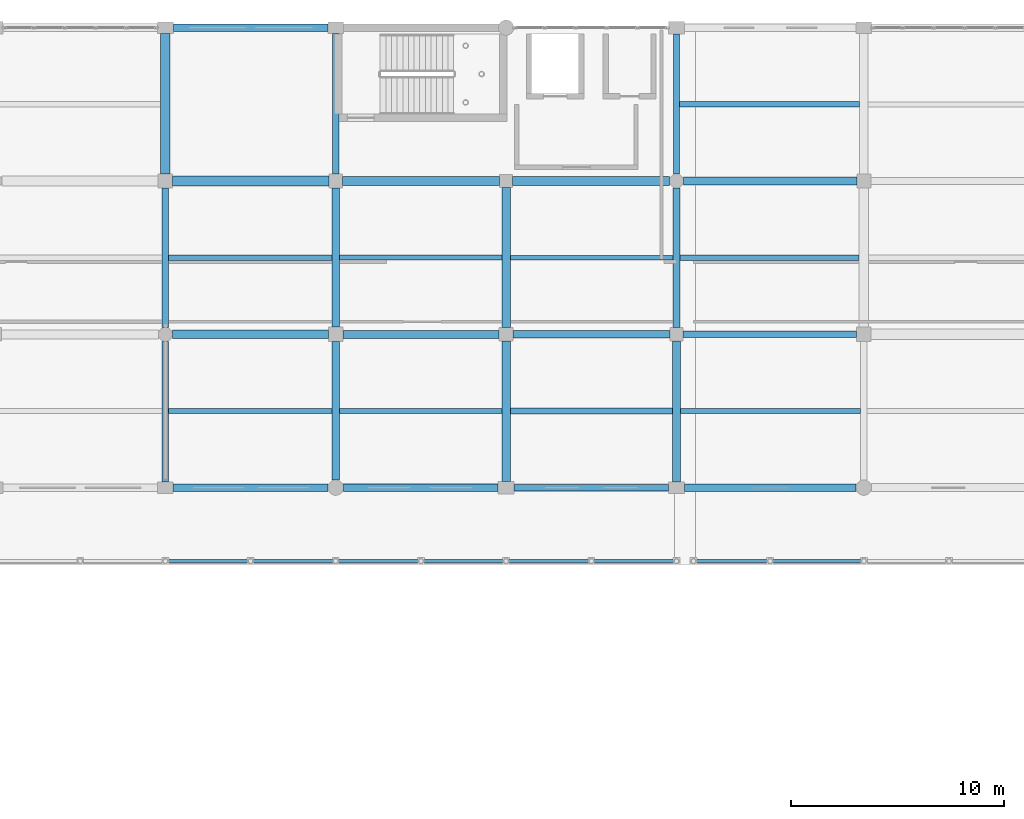
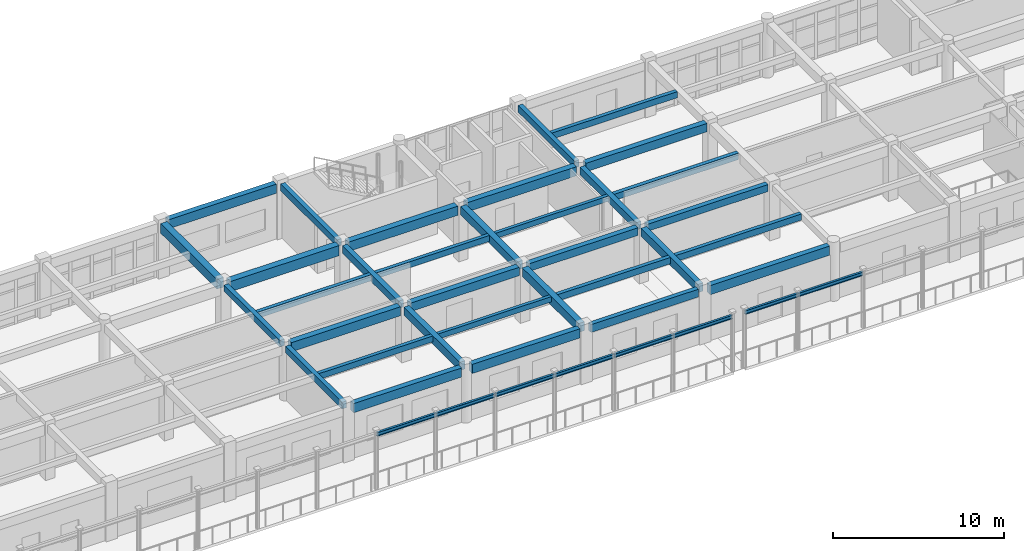
# One storey, part 116 of 195: 37 beams.
"""IFC4 building model written with IfcOpenShell, lengths in metres."""

from ifc_helpers import new_model, si_unit, direction, frame, origin, origin_2d, place, context, subcontext, project, spatial, rectangle, i_section, extrude, material, material_profile, profile_set, type_object, element, save


model = new_model("IFC4")

# Units and contexts
model_context = context("Model", 3, precision=1e-05, world=origin(), true_north=direction((0.0, 1.0)))
body_context = subcontext(model_context, "Body", "Model", "MODEL_VIEW")
ifc_project = project(units=[si_unit("LENGTHUNIT", "METRE"), si_unit("AREAUNIT", "SQUARE_METRE"), si_unit("VOLUMEUNIT", "CUBIC_METRE"), si_unit("PLANEANGLEUNIT", "RADIAN"), si_unit("MASSUNIT", "GRAM", prefix="KILO")], contexts=[model_context])

# Site, building, storey
site_placement = place(None, origin())
site = spatial("IfcSite", under=ifc_project, at=site_placement, CompositionType="ELEMENT")
building_placement = place(site_placement, origin())
building = spatial("IfcBuilding", under=site, at=building_placement, Name="Kharva Crest Polytechnic", CompositionType="ELEMENT")
storey_placement = place(building_placement, frame((0.0, 0.0, 9.0)))
storey = spatial("IfcBuildingStorey", under=building, at=storey_placement, Name="L02", CompositionType="ELEMENT", Elevation=9.0)

# Beams
ifc_material_1 = material(Name="Concrete C35/45", Category="concrete")
ifc_material_profile_1 = material_profile(ifc_material_1, rectangle(XDim=0.300048828125, YDim=0.449951171875, at=origin_2d()), Name="RECT 300 X 450")
ifc_profile_set_1 = profile_set([ifc_material_profile_1], Name="Concrete C35/45")
beam_type_1 = type_object("IfcBeamType", Name="BM-RC-300X450", PredefinedType="BEAM", material=ifc_profile_set_1)
beam_1_placement = place(storey_placement, frame((96.0, 107.929931640625, 3.695068359375), z_axis=(0.0, 1.0, 0.0), x_axis=(-1.0, 0.0, 0.0)))
element("IfcBeam", 1, at=beam_1_placement, inside=storey, type_object=beam_type_1, Name="L02 Girder 13/Q-R", PredefinedType="BEAM", context=body_context, shape_type="SweptSolid", body=[
    extrude(rectangle(XDim=0.300048828125, YDim=0.449951171875, at=origin_2d()), origin(), (0.0, 0.0, 1.0), 6.530029296875),
])
ifc_material_profile_2 = material_profile(ifc_material_1, rectangle(XDim=0.300048828125, YDim=0.47998046875, at=origin_2d()), Name="RECT 300 X 480")
ifc_profile_set_2 = profile_set([ifc_material_profile_2], Name="Concrete C35/45")
beam_type_2 = type_object("IfcBeamType", Name="BM-RC-300X480", PredefinedType="BEAM", material=ifc_profile_set_2)
beam_2_placement = place(storey_placement, frame((96.0, 100.675048828125, 3.679931640625), z_axis=(0.0, 1.0, 0.0), x_axis=(-1.0, 0.0, 0.0)))
element("IfcBeam", 2, at=beam_2_placement, inside=storey, type_object=beam_type_2, Name="L02 Girder 13/P-Q", PredefinedType="BEAM", context=body_context, shape_type="SweptSolid", body=[
    extrude(rectangle(XDim=0.300048828125, YDim=0.47998046875, at=origin_2d()), origin(), (0.0, 0.0, 1.0), 6.594970703125),
])
beam_3_placement = place(storey_placement, frame((104.0, 115.125, 3.679931640625), z_axis=(0.0, 1.0, 0.0), x_axis=(-1.0, 0.0, 0.0)))
element("IfcBeam", 3, at=beam_3_placement, inside=storey, type_object=beam_type_2, Name="L02 Girder 14/R-S", PredefinedType="BEAM", context=body_context, shape_type="SweptSolid", body=[
    extrude(rectangle(XDim=0.300048828125, YDim=0.47998046875, at=origin_2d()), origin(), (0.0, 0.0, 1.0), 6.60009765625),
])
beam_4_placement = place(storey_placement, frame((120.0, 115.1298828125, 3.679931640625), z_axis=(0.0, 1.0, 0.0), x_axis=(-1.0, 0.0, 0.0)))
element("IfcBeam", 4, at=beam_4_placement, inside=storey, type_object=beam_type_2, Name="L02 Girder 16/R-S", PredefinedType="BEAM", context=body_context, shape_type="SweptSolid", body=[
    extrude(rectangle(XDim=0.300048828125, YDim=0.47998046875, at=origin_2d()), origin(), (0.0, 0.0, 1.0), 6.570068359375),
])
ifc_material_profile_3 = material_profile(ifc_material_1, rectangle(XDim=0.320068359375, YDim=0.5, at=origin_2d()), Name="RECT 320 X 500")
ifc_profile_set_3 = profile_set([ifc_material_profile_3], Name="Concrete C35/45")
beam_type_3 = type_object("IfcBeamType", Name="BM-RC-320X500", PredefinedType="BEAM", material=ifc_profile_set_3)
beam_5_placement = place(storey_placement, frame((120.31005859375, 107.60009765625, 3.669921875), z_axis=(1.0, 0.0, 0.0), x_axis=(0.0, 1.0, 0.0)))
element("IfcBeam", 5, at=beam_5_placement, inside=storey, type_object=beam_type_3, Name="L02 Beam Q/16-17", PredefinedType="BEAM", context=body_context, shape_type="SweptSolid", body=[
    extrude(rectangle(XDim=0.320068359375, YDim=0.5, at=origin_2d()), origin(), (0.0, 0.0, 1.0), 8.14990234375),
])
ifc_material_profile_4 = material_profile(ifc_material_1, rectangle(XDim=0.340087890625, YDim=0.52001953125, at=origin_2d()), Name="RECT 340 X 520")
ifc_profile_set_4 = profile_set([ifc_material_profile_4], Name="Concrete C35/45")
beam_type_4 = type_object("IfcBeamType", Name="BM-RC-340X520", PredefinedType="BEAM", material=ifc_profile_set_4)
beam_6_placement = place(storey_placement, frame((104.0, 107.93994140625, 3.659912109375), z_axis=(0.0, 1.0, 0.0), x_axis=(-1.0, 0.0, 0.0)))
element("IfcBeam", 6, at=beam_6_placement, inside=storey, type_object=beam_type_4, Name="L02 Girder 14/Q-R", PredefinedType="BEAM", context=body_context, shape_type="SweptSolid", body=[
    extrude(rectangle(XDim=0.340087890625, YDim=0.52001953125, at=origin_2d()), origin(), (0.0, 0.0, 1.0), 6.53515625),
])
beam_7_placement = place(storey_placement, frame((120.0, 107.909912109375, 3.659912109375), z_axis=(0.0, 1.0, 0.0), x_axis=(-1.0, 0.0, 0.0)))
element("IfcBeam", 7, at=beam_7_placement, inside=storey, type_object=beam_type_4, Name="L02 Girder 16/Q-R", PredefinedType="BEAM", context=body_context, shape_type="SweptSolid", body=[
    extrude(rectangle(XDim=0.340087890625, YDim=0.52001953125, at=origin_2d()), origin(), (0.0, 0.0, 1.0), 6.56005859375),
])
ifc_material_profile_5 = material_profile(ifc_material_1, rectangle(XDim=0.35009765625, YDim=0.550048828125, at=origin_2d()), Name="RECT 350 X 550")
ifc_profile_set_5 = profile_set([ifc_material_profile_5], Name="Concrete C35/45")
beam_type_5 = type_object("IfcBeamType", Name="BM-RC-350X550", PredefinedType="BEAM", material=ifc_profile_set_5)
beam_8_placement = place(storey_placement, frame((112.324951171875, 107.60009765625, 3.64501953125), z_axis=(1.0, 0.0, 0.0), x_axis=(0.0, 1.0, 0.0)))
element("IfcBeam", 8, at=beam_8_placement, inside=storey, type_object=beam_type_5, Name="L02 Beam Q/15-16", PredefinedType="BEAM", context=body_context, shape_type="SweptSolid", body=[
    extrude(rectangle(XDim=0.35009765625, YDim=0.550048828125, at=origin_2d()), origin(), (0.0, 0.0, 1.0), 7.364990234375),
])
ifc_material_profile_6 = material_profile(ifc_material_1, rectangle(XDim=0.360107421875, YDim=0.580078125, at=origin_2d()), Name="RECT 360 X 580")
ifc_profile_set_6 = profile_set([ifc_material_profile_6], Name="Concrete C35/45")
beam_type_6 = type_object("IfcBeamType", Name="BM-RC-360X580", PredefinedType="BEAM", material=ifc_profile_set_6)
beam_9_placement = place(storey_placement, frame((104.0, 100.760009765625, 3.6298828125), z_axis=(0.0, 1.0, 0.0), x_axis=(-1.0, 0.0, 0.0)))
element("IfcBeam", 9, at=beam_9_placement, inside=storey, type_object=beam_type_6, Name="L02 Girder 14/P-Q", PredefinedType="BEAM", context=body_context, shape_type="SweptSolid", body=[
    extrude(rectangle(XDim=0.360107421875, YDim=0.580078125, at=origin_2d()), origin(), (0.0, 0.0, 1.0), 6.5),
])
beam_10_placement = place(storey_placement, frame((120.0, 100.675048828125, 3.6298828125), z_axis=(0.0, 1.0, 0.0), x_axis=(-1.0, 0.0, 0.0)))
element("IfcBeam", 10, at=beam_10_placement, inside=storey, type_object=beam_type_6, Name="L02 Girder 16/P-Q", PredefinedType="BEAM", context=body_context, shape_type="SweptSolid", body=[
    extrude(rectangle(XDim=0.360107421875, YDim=0.580078125, at=origin_2d()), origin(), (0.0, 0.0, 1.0), 6.614990234375),
])
ifc_material_profile_7 = material_profile(ifc_material_1, rectangle(XDim=0.3798828125, YDim=0.60009765625, at=origin_2d()), Name="RECT 380 X 600")
ifc_profile_set_7 = profile_set([ifc_material_profile_7], Name="Concrete C35/45")
beam_type_7 = type_object("IfcBeamType", Name="BM-RC-380X600", PredefinedType="BEAM", material=ifc_profile_set_7)
beam_11_placement = place(storey_placement, frame((104.340087890625, 107.60009765625, 3.6201171875), z_axis=(1.0, 0.0, 0.0), x_axis=(0.0, 1.0, 0.0)))
element("IfcBeam", 11, at=beam_11_placement, inside=storey, type_object=beam_type_7, Name="L02 Beam Q/14-15", PredefinedType="BEAM", context=body_context, shape_type="SweptSolid", body=[
    extrude(rectangle(XDim=0.3798828125, YDim=0.60009765625, at=origin_2d()), origin(), (0.0, 0.0, 1.0), 7.3349609375),
])
beam_12_placement = place(storey_placement, frame((120.330078125, 114.800048828125, 3.6201171875), z_axis=(1.0, 0.0, 0.0), x_axis=(0.0, 1.0, 0.0)))
element("IfcBeam", 12, at=beam_12_placement, inside=storey, type_object=beam_type_7, Name="L02 Beam R/16-17", PredefinedType="BEAM", context=body_context, shape_type="SweptSolid", body=[
    extrude(rectangle(XDim=0.3798828125, YDim=0.60009765625, at=origin_2d()), origin(), (0.0, 0.0, 1.0), 8.14501953125),
])
ifc_material_profile_8 = material_profile(ifc_material_1, rectangle(XDim=0.39990234375, YDim=0.580078125, at=origin_2d()), Name="RECT 400 X 580")
ifc_profile_set_8 = profile_set([ifc_material_profile_8], Name="Concrete C35/45")
beam_type_8 = type_object("IfcBeamType", Name="BM-RC-400X580", PredefinedType="BEAM", material=ifc_profile_set_8)
beam_13_placement = place(storey_placement, frame((112.0, 107.925048828125, 3.6298828125), z_axis=(0.0, 1.0, 0.0), x_axis=(-1.0, 0.0, 0.0)))
element("IfcBeam", 13, at=beam_13_placement, inside=storey, type_object=beam_type_8, Name="L02 Girder 15/Q-R", PredefinedType="BEAM", context=body_context, shape_type="SweptSolid", body=[
    extrude(rectangle(XDim=0.39990234375, YDim=0.580078125, at=origin_2d()), origin(), (0.0, 0.0, 1.0), 6.56494140625),
])
ifc_material_profile_9 = material_profile(ifc_material_1, rectangle(XDim=0.39990234375, YDim=0.6201171875, at=origin_2d()), Name="RECT 400 X 620")
ifc_profile_set_9 = profile_set([ifc_material_profile_9], Name="Concrete C35/45")
beam_type_9 = type_object("IfcBeamType", Name="BM-RC-400X620", PredefinedType="BEAM", material=ifc_profile_set_9)
beam_14_placement = place(storey_placement, frame((112.0, 100.699951171875, 3.610107421875), z_axis=(0.0, 1.0, 0.0), x_axis=(-1.0, 0.0, 0.0)))
element("IfcBeam", 14, at=beam_14_placement, inside=storey, type_object=beam_type_9, Name="L02 Girder 15/P-Q", PredefinedType="BEAM", context=body_context, shape_type="SweptSolid", body=[
    extrude(rectangle(XDim=0.39990234375, YDim=0.6201171875, at=origin_2d()), origin(), (0.0, 0.0, 1.0), 6.574951171875),
])
ifc_material_profile_10 = material_profile(ifc_material_1, rectangle(XDim=0.39990234375, YDim=0.64990234375, at=origin_2d()), Name="RECT 400 X 650")
ifc_profile_set_10 = profile_set([ifc_material_profile_10], Name="Concrete C35/45")
beam_type_10 = type_object("IfcBeamType", Name="BM-RC-400X650", PredefinedType="BEAM", material=ifc_profile_set_10)
beam_15_placement = place(storey_placement, frame((96.330078125, 107.60009765625, 3.594970703125), z_axis=(1.0, 0.0, 0.0), x_axis=(0.0, 1.0, 0.0)))
element("IfcBeam", 15, at=beam_15_placement, inside=storey, type_object=beam_type_10, Name="L02 Beam Q/13-14", PredefinedType="BEAM", context=body_context, shape_type="SweptSolid", body=[
    extrude(rectangle(XDim=0.39990234375, YDim=0.64990234375, at=origin_2d()), origin(), (0.0, 0.0, 1.0), 7.329833984375),
])
beam_16_placement = place(storey_placement, frame((112.31005859375, 114.800048828125, 3.594970703125), z_axis=(1.0, 0.0, 0.0), x_axis=(0.0, 1.0, 0.0)))
element("IfcBeam", 16, at=beam_16_placement, inside=storey, type_object=beam_type_10, Name="L02 Beam R/15-16", PredefinedType="BEAM", context=body_context, shape_type="SweptSolid", body=[
    extrude(rectangle(XDim=0.39990234375, YDim=0.64990234375, at=origin_2d()), origin(), (0.0, 0.0, 1.0), 7.35986328125),
])
ifc_material_profile_11 = material_profile(ifc_material_1, rectangle(XDim=0.419921875, YDim=0.659912109375, at=origin_2d()), Name="RECT 420 X 660")
ifc_profile_set_11 = profile_set([ifc_material_profile_11], Name="Concrete C35/45")
beam_type_11 = type_object("IfcBeamType", Name="BM-RC-420X660", PredefinedType="BEAM", material=ifc_profile_set_11)
beam_17_placement = place(storey_placement, frame((104.324951171875, 114.800048828125, 3.590087890625), z_axis=(1.0, 0.0, 0.0), x_axis=(0.0, 1.0, 0.0)))
element("IfcBeam", 17, at=beam_17_placement, inside=storey, type_object=beam_type_11, Name="L02 Beam R/14-15", PredefinedType="BEAM", context=body_context, shape_type="SweptSolid", body=[
    extrude(rectangle(XDim=0.419921875, YDim=0.659912109375, at=origin_2d()), origin(), (0.0, 0.0, 1.0), 7.364990234375),
])
ifc_material_profile_12 = material_profile(ifc_material_1, rectangle(XDim=0.449951171875, YDim=0.679931640625, at=origin_2d()), Name="RECT 450 X 680")
ifc_profile_set_12 = profile_set([ifc_material_profile_12], Name="Concrete C35/45")
beam_type_12 = type_object("IfcBeamType", Name="BM-RC-450X680", PredefinedType="BEAM", material=ifc_profile_set_12)
beam_18_placement = place(storey_placement, frame((96.0, 115.139892578125, 3.580078125), z_axis=(0.0, 1.0, 0.0), x_axis=(-1.0, 0.0, 0.0)))
element("IfcBeam", 18, at=beam_18_placement, inside=storey, type_object=beam_type_12, Name="L02 Girder 13/R-S", PredefinedType="BEAM", context=body_context, shape_type="SweptSolid", body=[
    extrude(rectangle(XDim=0.449951171875, YDim=0.679931640625, at=origin_2d()), origin(), (0.0, 0.0, 1.0), 6.585205078125),
])
ifc_material_profile_13 = material_profile(ifc_material_1, rectangle(XDim=0.449951171875, YDim=0.719970703125, at=origin_2d()), Name="RECT 450 X 720")
ifc_profile_set_13 = profile_set([ifc_material_profile_13], Name="Concrete C35/45")
beam_type_13 = type_object("IfcBeamType", Name="BM-RC-450X720", PredefinedType="BEAM", material=ifc_profile_set_13)
beam_19_placement = place(storey_placement, frame((96.340087890625, 114.800048828125, 3.56005859375), z_axis=(1.0, 0.0, 0.0), x_axis=(0.0, 1.0, 0.0)))
element("IfcBeam", 19, at=beam_19_placement, inside=storey, type_object=beam_type_13, Name="L02 Beam R/13-14", PredefinedType="BEAM", context=body_context, shape_type="SweptSolid", body=[
    extrude(rectangle(XDim=0.449951171875, YDim=0.719970703125, at=origin_2d()), origin(), (0.0, 0.0, 1.0), 7.3349609375),
])
ifc_material_2 = material(Name="Steel S355", Category="steel")
ifc_material_profile_14 = material_profile(ifc_material_2, i_section(OverallWidth=0.14794921875, OverallDepth=0.26611328125, WebThickness=0.007568359375, FlangeThickness=0.012939453125, at=origin_2d()), Name="W250X44.8")
ifc_profile_set_14 = profile_set([ifc_material_profile_14], Name="Steel S355")
beam_type_14 = type_object("IfcBeamType", Name="BM-STL-W250X44", PredefinedType="SPANDREL", material=ifc_profile_set_14)
for number, where, z_axis, x_axis, name in (
    (20, (96.02001953125, 96.949951171875, 3.85693359375), (1.0, 0.0, 0.0), (0.0, 1.0, 0.0), "L02 North Veranda Beam 6"),
    (21, (104.02001953125, 96.949951171875, 3.85693359375), (1.0, 0.0, 0.0), (0.0, 1.0, 0.0), "L02 North Veranda Beam 7"),
    (22, (112.02001953125, 96.949951171875, 3.85693359375), (1.0, 0.0, 0.0), (0.0, 1.0, 0.0), "L02 North Veranda Beam 8"),
    (23, (120.820068359375, 96.949951171875, 3.85693359375), (1.0, 0.0, 0.0), (0.0, 1.0, 0.0), "L02 North Veranda Beam 10"),
):
    element("IfcBeam", number, at=place(storey_placement, frame(where, z_axis=z_axis, x_axis=x_axis)), inside=storey, type_object=beam_type_14, Name=name, PredefinedType="SPANDREL", context=body_context, shape_type="SweptSolid", body=[
        extrude(i_section(OverallWidth=0.14794921875, OverallDepth=0.26611328125, WebThickness=0.007568359375, FlangeThickness=0.012939453125, at=origin_2d()), origin(), (0.0, 0.0, 1.0), 7.9599609375),
    ])
ifc_material_profile_15 = material_profile(ifc_material_1, rectangle(XDim=0.219970703125, YDim=0.3798828125, at=origin_2d()), Name="RECT 220 X 380")
ifc_profile_set_15 = profile_set([ifc_material_profile_15], Name="Concrete C35/45")
beam_type_15 = type_object("IfcBeamType", Name="JS-RC-220X380", PredefinedType="JOIST", material=ifc_profile_set_15)
beam_20_placement = place(storey_placement, frame((104.179931640625, 104.0, 3.72998046875), z_axis=(1.0, 0.0, 0.0), x_axis=(0.0, 1.0, 0.0)))
element("IfcBeam", 24, at=beam_20_placement, inside=storey, type_object=beam_type_15, Name="L02 Floor Joist 24", PredefinedType="JOIST", context=body_context, shape_type="SweptSolid", body=[
    extrude(rectangle(XDim=0.219970703125, YDim=0.3798828125, at=origin_2d()), origin(), (0.0, 0.0, 1.0), 7.6201171875),
])
beam_21_placement = place(storey_placement, frame((112.199951171875, 111.199951171875, 3.72998046875), z_axis=(1.0, 0.0, 0.0), x_axis=(0.0, 1.0, 0.0)))
element("IfcBeam", 25, at=beam_21_placement, inside=storey, type_object=beam_type_15, Name="L02 Floor Joist 44", PredefinedType="JOIST", context=body_context, shape_type="SweptSolid", body=[
    extrude(rectangle(XDim=0.219970703125, YDim=0.3798828125, at=origin_2d()), origin(), (0.0, 0.0, 1.0), 7.630126953125),
])
ifc_material_profile_16 = material_profile(ifc_material_1, rectangle(XDim=0.239990234375, YDim=0.419921875, at=origin_2d()), Name="RECT 240 X 420")
ifc_profile_set_16 = profile_set([ifc_material_profile_16], Name="Concrete C35/45")
beam_type_16 = type_object("IfcBeamType", Name="JS-RC-240X420", PredefinedType="JOIST", material=ifc_profile_set_16)
beam_22_placement = place(storey_placement, frame((96.14990234375, 104.0, 3.7099609375), z_axis=(1.0, 0.0, 0.0), x_axis=(0.0, 1.0, 0.0)))
element("IfcBeam", 26, at=beam_22_placement, inside=storey, type_object=beam_type_16, Name="L02 Floor Joist 23", PredefinedType="JOIST", context=body_context, shape_type="SweptSolid", body=[
    extrude(rectangle(XDim=0.239990234375, YDim=0.419921875, at=origin_2d()), origin(), (0.0, 0.0, 1.0), 7.670166015625),
])
beam_23_placement = place(storey_placement, frame((104.169921875, 111.199951171875, 3.7099609375), z_axis=(1.0, 0.0, 0.0), x_axis=(0.0, 1.0, 0.0)))
element("IfcBeam", 27, at=beam_23_placement, inside=storey, type_object=beam_type_16, Name="L02 Floor Joist 43", PredefinedType="JOIST", context=body_context, shape_type="SweptSolid", body=[
    extrude(rectangle(XDim=0.239990234375, YDim=0.419921875, at=origin_2d()), origin(), (0.0, 0.0, 1.0), 7.630126953125),
])
ifc_material_profile_17 = material_profile(ifc_material_1, rectangle(XDim=0.25, YDim=0.43994140625, at=origin_2d()), Name="RECT 250 X 440")
ifc_profile_set_17 = profile_set([ifc_material_profile_17], Name="Concrete C35/45")
beam_type_17 = type_object("IfcBeamType", Name="JS-RC-250X440", PredefinedType="JOIST", material=ifc_profile_set_17)
beam_24_placement = place(storey_placement, frame((120.179931640625, 104.0, 3.699951171875), z_axis=(1.0, 0.0, 0.0), x_axis=(0.0, 1.0, 0.0)))
element("IfcBeam", 28, at=beam_24_placement, inside=storey, type_object=beam_type_17, Name="L02 Floor Joist 26", PredefinedType="JOIST", context=body_context, shape_type="SweptSolid", body=[
    extrude(rectangle(XDim=0.25, YDim=0.43994140625, at=origin_2d()), origin(), (0.0, 0.0, 1.0), 8.469970703125),
])
beam_25_placement = place(storey_placement, frame((96.14990234375, 111.199951171875, 3.699951171875), z_axis=(1.0, 0.0, 0.0), x_axis=(0.0, 1.0, 0.0)))
element("IfcBeam", 29, at=beam_25_placement, inside=storey, type_object=beam_type_17, Name="L02 Floor Joist 42", PredefinedType="JOIST", context=body_context, shape_type="SweptSolid", body=[
    extrude(rectangle(XDim=0.25, YDim=0.43994140625, at=origin_2d()), origin(), (0.0, 0.0, 1.0), 7.68017578125),
])
beam_26_placement = place(storey_placement, frame((120.14990234375, 118.39990234375, 3.699951171875), z_axis=(1.0, 0.0, 0.0), x_axis=(0.0, 1.0, 0.0)))
element("IfcBeam", 30, at=beam_26_placement, inside=storey, type_object=beam_type_17, Name="L02 Floor Joist 58", PredefinedType="JOIST", context=body_context, shape_type="SweptSolid", body=[
    extrude(rectangle(XDim=0.25, YDim=0.43994140625, at=origin_2d()), origin(), (0.0, 0.0, 1.0), 8.4501953125),
])
ifc_material_profile_18 = material_profile(ifc_material_1, rectangle(XDim=0.260009765625, YDim=0.4599609375, at=origin_2d()), Name="RECT 260 X 460")
ifc_profile_set_18 = profile_set([ifc_material_profile_18], Name="Concrete C35/45")
beam_type_18 = type_object("IfcBeamType", Name="JS-RC-260X460", PredefinedType="JOIST", material=ifc_profile_set_18)
beam_27_placement = place(storey_placement, frame((112.199951171875, 104.0, 3.68994140625), z_axis=(1.0, 0.0, 0.0), x_axis=(0.0, 1.0, 0.0)))
element("IfcBeam", 31, at=beam_27_placement, inside=storey, type_object=beam_type_18, Name="L02 Floor Joist 25", PredefinedType="JOIST", context=body_context, shape_type="SweptSolid", body=[
    extrude(rectangle(XDim=0.260009765625, YDim=0.4599609375, at=origin_2d()), origin(), (0.0, 0.0, 1.0), 7.6201171875),
])
beam_28_placement = place(storey_placement, frame((120.169921875, 111.199951171875, 3.68994140625), z_axis=(1.0, 0.0, 0.0), x_axis=(0.0, 1.0, 0.0)))
element("IfcBeam", 32, at=beam_28_placement, inside=storey, type_object=beam_type_18, Name="L02 Floor Joist 45", PredefinedType="JOIST", context=body_context, shape_type="SweptSolid", body=[
    extrude(rectangle(XDim=0.260009765625, YDim=0.4599609375, at=origin_2d()), origin(), (0.0, 0.0, 1.0), 8.405029296875),
])
ifc_material_profile_19 = material_profile(ifc_material_1, rectangle(XDim=0.300048828125, YDim=0.550048828125, at=origin_2d()), Name="RECT 300 X 550")
ifc_profile_set_19 = profile_set([ifc_material_profile_19], Name="Concrete C35/45")
beam_type_19 = type_object("IfcBeamType", Name="SP-RC-300X550", PredefinedType="SPANDREL", material=ifc_profile_set_19)
beam_29_placement = place(storey_placement, frame((112.375, 100.39990234375, 3.64501953125), z_axis=(1.0, 0.0, 0.0), x_axis=(0.0, 1.0, 0.0)))
element("IfcBeam", 33, at=beam_29_placement, inside=storey, type_object=beam_type_19, Name="L02 Beam P/15-16", PredefinedType="SPANDREL", context=body_context, shape_type="SweptSolid", body=[
    extrude(rectangle(XDim=0.300048828125, YDim=0.550048828125, at=origin_2d()), origin(), (0.0, 0.0, 1.0), 7.25),
])
ifc_material_profile_20 = material_profile(ifc_material_1, rectangle(XDim=0.360107421875, YDim=0.64990234375, at=origin_2d()), Name="RECT 360 X 650")
ifc_profile_set_20 = profile_set([ifc_material_profile_20], Name="Concrete C35/45")
beam_type_20 = type_object("IfcBeamType", Name="SP-RC-360X650", PredefinedType="SPANDREL", material=ifc_profile_set_20)
beam_30_placement = place(storey_placement, frame((96.360107421875, 100.39990234375, 3.594970703125), z_axis=(1.0, 0.0, 0.0), x_axis=(0.0, 1.0, 0.0)))
element("IfcBeam", 34, at=beam_30_placement, inside=storey, type_object=beam_type_20, Name="L02 Beam P/13-14", PredefinedType="SPANDREL", context=body_context, shape_type="SweptSolid", body=[
    extrude(rectangle(XDim=0.360107421875, YDim=0.64990234375, at=origin_2d()), origin(), (0.0, 0.0, 1.0), 7.27978515625),
])
beam_31_placement = place(storey_placement, frame((104.360107421875, 100.39990234375, 3.594970703125), z_axis=(1.0, 0.0, 0.0), x_axis=(0.0, 1.0, 0.0)))
element("IfcBeam", 35, at=beam_31_placement, inside=storey, type_object=beam_type_20, Name="L02 Beam P/14-15", PredefinedType="SPANDREL", context=body_context, shape_type="SweptSolid", body=[
    extrude(rectangle(XDim=0.360107421875, YDim=0.64990234375, at=origin_2d()), origin(), (0.0, 0.0, 1.0), 7.264892578125),
])
beam_32_placement = place(storey_placement, frame((120.375, 100.39990234375, 3.594970703125), z_axis=(1.0, 0.0, 0.0), x_axis=(0.0, 1.0, 0.0)))
element("IfcBeam", 36, at=beam_32_placement, inside=storey, type_object=beam_type_20, Name="L02 Beam P/16-17", PredefinedType="SPANDREL", context=body_context, shape_type="SweptSolid", body=[
    extrude(rectangle(XDim=0.360107421875, YDim=0.64990234375, at=origin_2d()), origin(), (0.0, 0.0, 1.0), 8.06494140625),
])
beam_33_placement = place(storey_placement, frame((96.375, 122.0, 3.594970703125), z_axis=(1.0, 0.0, 0.0), x_axis=(0.0, 1.0, 0.0)))
element("IfcBeam", 37, at=beam_33_placement, inside=storey, type_object=beam_type_20, Name="L02 Beam S/13-14", PredefinedType="SPANDREL", context=body_context, shape_type="SweptSolid", body=[
    extrude(rectangle(XDim=0.360107421875, YDim=0.64990234375, at=origin_2d()), origin(), (0.0, 0.0, 1.0), 7.264892578125),
])

save(model, "model.ifc")
